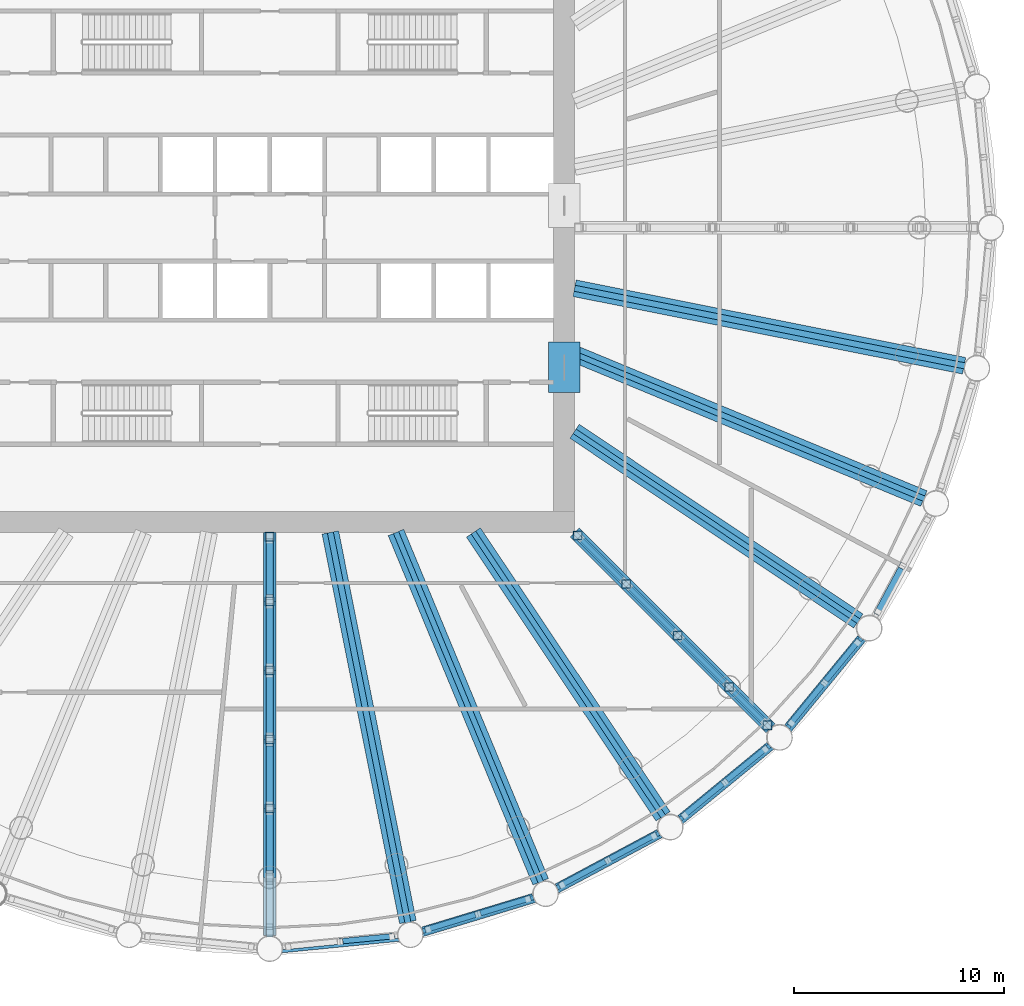
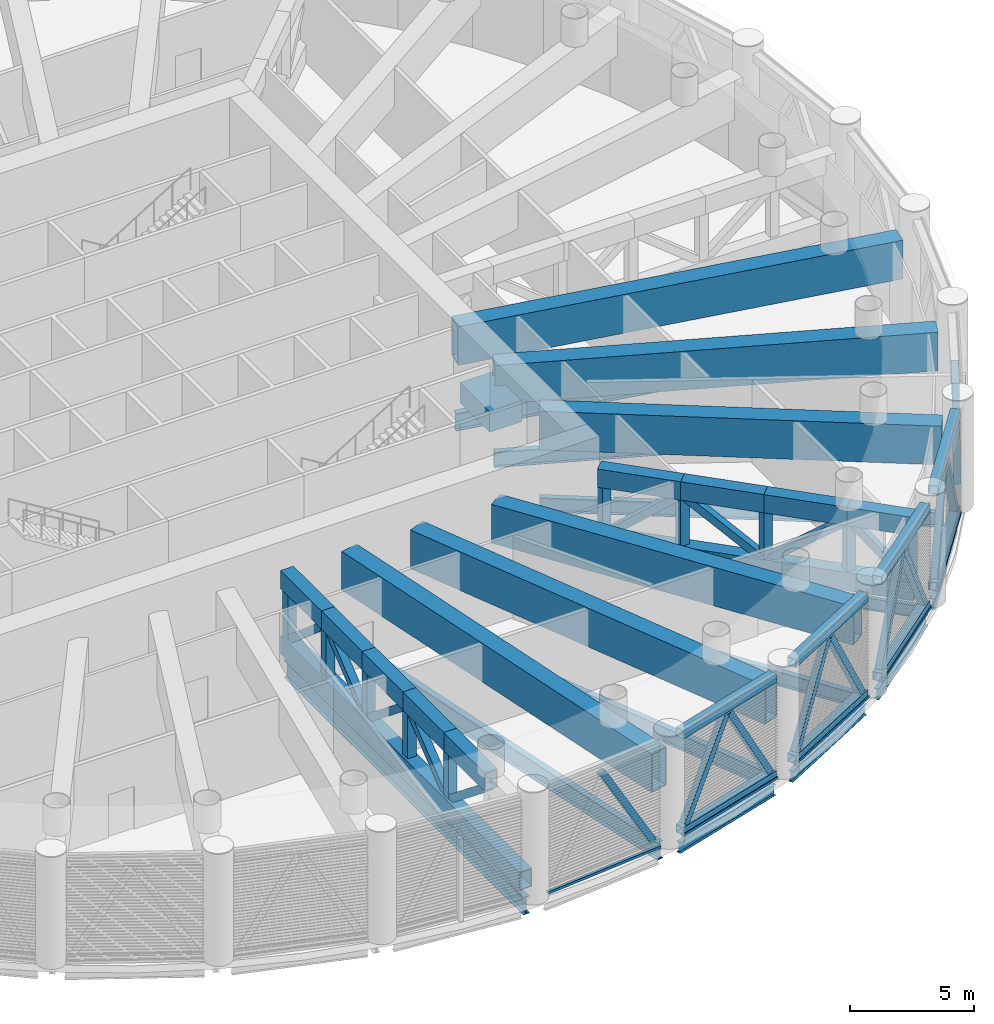
# One storey, part 3 of 29: 53 members, 19 beams, 5 elements without a shape of their own.
"""IFC4 building model written with IfcOpenShell, lengths in metres."""

from ifc_helpers import new_model, si_unit, direction, frame, origin, origin_2d, place, context, subcontext, project, spatial, rectangle, hollow_rectangle, i_section, extrude, material, material_profile, profile_set, type_object, element, aggregate, save


model = new_model("IFC4")

# Units and contexts
model_context = context("Model", 3, precision=1e-05, world=origin(), true_north=direction((0.0, 1.0)))
body_context = subcontext(model_context, "Body", "Model", "MODEL_VIEW")
ifc_project = project(units=[si_unit("LENGTHUNIT", "METRE"), si_unit("AREAUNIT", "SQUARE_METRE"), si_unit("VOLUMEUNIT", "CUBIC_METRE"), si_unit("PLANEANGLEUNIT", "RADIAN"), si_unit("MASSUNIT", "GRAM", prefix="KILO")], contexts=[model_context])

# Site, building, storey
site_placement = place(None, origin())
site = spatial("IfcSite", under=ifc_project, at=site_placement, CompositionType="ELEMENT")
building_placement = place(site_placement, origin())
building = spatial("IfcBuilding", under=site, at=building_placement, Name="Corvane Civic Tower", CompositionType="ELEMENT")
storey_placement = place(building_placement, frame((0.0, 0.0, 138.5)))
storey = spatial("IfcBuildingStorey", under=building, at=storey_placement, Name="L32", CompositionType="ELEMENT", Elevation=138.5)

# Members
ifc_material_1 = material(Name="Steel ASTM A500 Gr C", Category="steel")
ifc_material_profile_1 = material_profile(ifc_material_1, hollow_rectangle(XDim=0.406494140625, YDim=0.406494140625, WallThickness=0.0146484375, at=origin_2d()), Name="HSS16X16X5/8")
ifc_profile_set_1 = profile_set([ifc_material_profile_1], Name="Steel ASTM A500 Gr C")
member_type_1 = type_object("IfcMemberType", Name="BELT CHORD HSS16X16X5/8", PredefinedType="CHORD", material=ifc_profile_set_1)
for number, where, z_axis, x_axis, name in (
    (1, (28.122802734375, -19.539306640625, 4.94677734375), (-0.634415028276, -0.772992607919, 0.0), (0.772992607919, -0.634415028276, 0.0), "Belt truss BT-L32"),
    (2, (28.122802734375, -19.539306640625, 0.203125), (-0.634415028276, -0.772992607919, 0.0), (0.772992607919, -0.634415028276, 0.0), "Belt truss BT-L32"),
    (3, (23.7705078125, -24.650146484375, 4.94677734375), (-0.772992607919, -0.634415028276, 0.0), (0.634415028276, -0.772992607919, 0.0), "Belt truss BT-L32"),
    (4, (23.7705078125, -24.650146484375, 0.203125), (-0.772992607919, -0.634415028276, 0.0), (0.634415028276, -0.772992607919, 0.0), "Belt truss BT-L32"),
    (5, (18.5048828125, -28.81396484375, 4.94677734375), (-0.881929111224, -0.47138205606, 0.0), (0.47138205606, -0.881929111224, 0.0), "Belt truss BT-L32"),
    (6, (18.5048828125, -28.81396484375, 0.203125), (-0.881929111224, -0.47138205606, 0.0), (0.47138205606, -0.881929111224, 0.0), "Belt truss BT-L32"),
    (7, (12.52783203125, -31.870361328125, 4.94677734375), (-0.956931700875, -0.290313141039, 0.0), (0.290313141039, -0.956931700875, 0.0), "Belt truss BT-L32"),
    (8, (12.52783203125, -31.870361328125, 0.203125), (-0.956931700875, -0.290313141039, 0.0), (0.290313141039, -0.956931700875, 0.0), "Belt truss BT-L32"),
):
    element("IfcMember", number, at=place(storey_placement, frame(where, z_axis=z_axis, x_axis=x_axis)), inside=storey, type_object=member_type_1, Name=name, PredefinedType="CHORD", context=body_context, shape_type="SweptSolid", body=[
        extrude(hollow_rectangle(XDim=0.406494140625, YDim=0.406494140625, WallThickness=0.0146484375, at=origin_2d()), origin(), (0.0, 0.0, 1.0), 5.473876953125),
    ])
ifc_material_2 = material(Name="Steel ASTM A500 Gr C", Category="steel")
ifc_material_profile_2 = material_profile(ifc_material_2, hollow_rectangle(XDim=0.3046875, YDim=0.3046875, WallThickness=0.01171875, at=origin_2d()), Name="HSS12X12X1/2")
ifc_profile_set_2 = profile_set([ifc_material_profile_2], Name="Steel ASTM A500 Gr C")
member_type_2 = type_object("IfcMemberType", Name="BELT DIAGONAL HSS12X12X1/2", PredefinedType="BRACE", material=ifc_profile_set_2)
member_1_placement = place(storey_placement, frame((28.931640625, -18.284423828125, 0.406494140625), z_axis=(0.234536613447, 0.438700173893, 0.867487598977), x_axis=(-0.881882412915, 0.471469415542, 0.0)))
element("IfcMember", 9, at=member_1_placement, inside=storey, type_object=member_type_2, Name="Belt truss BT-L32", PredefinedType="BRACE", context=body_context, shape_type="SweptSolid", body=[
    extrude(hollow_rectangle(XDim=0.3046875, YDim=0.3046875, WallThickness=0.01171875, at=origin_2d()), origin(), (0.0, 0.0, 1.0), 4.999755859375),
])
for number, where, z_axis, x_axis, name in (
    (10, (27.964111328125, -19.732421875, 0.406494140625), (-0.315550706765, -0.384549956016, 0.867495869032), (0.773051152653, -0.634343688691, 0.0), "Belt truss BT-L32"),
    (11, (24.808837890625, -23.577392578125, 0.406494140625), (0.315556632044, 0.384508344276, 0.867512158505), (-0.773011647263, 0.634391829389, 0.0), "Belt truss BT-L32"),
    (12, (23.577392578125, -24.808837890625, 0.406494140625), (-0.384508344276, -0.315556632044, 0.867512158505), (0.634391829389, -0.773011647263, 0.0), "Belt truss BT-L32"),
    (13, (19.732421875, -27.964111328125, 0.406494140625), (0.384549956016, 0.315550706765, 0.867495869032), (-0.634343688691, 0.773051152653, 0.0), "Belt truss BT-L32"),
):
    element("IfcMember", number, at=place(storey_placement, frame(where, z_axis=z_axis, x_axis=x_axis)), inside=storey, type_object=member_type_2, Name=name, PredefinedType="BRACE", context=body_context, shape_type="SweptSolid", body=[
        extrude(hollow_rectangle(XDim=0.3046875, YDim=0.3046875, WallThickness=0.01171875, at=origin_2d()), origin(), (0.0, 0.0, 1.0), 4.99951171875),
    ])
member_2_placement = place(storey_placement, frame((18.284423828125, -28.931640625, 0.406494140625), z_axis=(-0.438700173893, -0.234536613447, 0.867487598977), x_axis=(0.471469415542, -0.881882412915, 0.0)))
element("IfcMember", 14, at=member_2_placement, inside=storey, type_object=member_type_2, Name="Belt truss BT-L32", PredefinedType="BRACE", context=body_context, shape_type="SweptSolid", body=[
    extrude(hollow_rectangle(XDim=0.3046875, YDim=0.3046875, WallThickness=0.01171875, at=origin_2d()), origin(), (0.0, 0.0, 1.0), 4.999755859375),
])
for number, where, z_axis, x_axis, name in (
    (15, (13.897705078125, -31.276611328125, 0.406494140625), (0.438705197767, 0.234490467462, 0.867497533208), (-0.471393068459, 0.881923225122, 0.0), "Belt truss BT-L32"),
    (16, (12.28857421875, -31.94287109375, 0.406494140625), (-0.476011692933, -0.14444425397, 0.867495663209), (0.290372459305, -0.956913702942, 0.0), "Belt truss BT-L32"),
    (17, (7.529052734375, -33.386962890625, 0.406494140625), (0.475977281417, 0.144399796979, 0.867521945663), (-0.290309839091, 0.956932702611, 0.0), "Belt truss BT-L32"),
    (18, (5.82080078125, -33.7265625, 0.406494140625), (-0.495016972565, -0.048783856722, 0.867512727397), (0.098074762811, -0.995179049669, 0.0), "Belt truss BT-L32"),
):
    element("IfcMember", number, at=place(storey_placement, frame(where, z_axis=z_axis, x_axis=x_axis)), inside=storey, type_object=member_type_2, Name=name, PredefinedType="BRACE", context=body_context, shape_type="SweptSolid", body=[
        extrude(hollow_rectangle(XDim=0.3046875, YDim=0.3046875, WallThickness=0.01171875, at=origin_2d()), origin(), (0.0, 0.0, 1.0), 4.99951171875),
    ])

# Beams
ifc_material_3 = material(Name="Concrete C70/85", Category="concrete")
ifc_material_profile_3 = material_profile(ifc_material_3, rectangle(XDim=1.5, YDim=1.0, at=origin_2d()), Name="COUPLING BEAM 1500X1000")
ifc_profile_set_3 = profile_set([ifc_material_profile_3], Name="Concrete C70/85")
beam_type_1 = type_object("IfcBeamType", Name="COUPLING BEAM COUPLING BEAM 1500X1000", PredefinedType="BEAM", material=ifc_profile_set_3)
beam_1_placement = place(storey_placement, frame((14.0, -7.85009765625, 2.60009765625), z_axis=(0.0, 1.0, 0.0), x_axis=(-1.0, 0.0, 0.0)))
element("IfcBeam", 19, at=beam_1_placement, inside=storey, type_object=beam_type_1, Name="BM-L32-cpl-CW-ES", PredefinedType="BEAM", context=body_context, shape_type="SweptSolid", body=[
    extrude(rectangle(XDim=1.5, YDim=1.0, at=origin_2d()), origin(), (0.0, 0.0, 1.0), 2.400146484375),
])
ifc_material_4 = material(Name="Steel ASTM A992 Gr 50", Category="steel")
ifc_material_profile_4 = material_profile(ifc_material_4, i_section(OverallWidth=0.209228515625, OverallDepth=0.533447265625, WebThickness=0.01025390625, FlangeThickness=0.015625, at=origin_2d()), Name="W21X62")
ifc_profile_set_4 = profile_set([ifc_material_profile_4], Name="Steel ASTM A992 Gr 50")
beam_type_2 = type_object("IfcBeamType", Name="EDGE BEAM W21X62", PredefinedType="BEAM", material=ifc_profile_set_4)
for number, where, z_axis, x_axis, name in (
    (20, (28.17041015625, -19.481201171875, -0.61669921875), (-0.634397765782, -0.773006775372, 0.0), (0.773006775372, -0.634397765782, 0.0), "BM-L32-E12"),
    (21, (23.82861328125, -24.6025390625, -0.61669921875), (-0.773006775372, -0.634397765782, 0.0), (0.634397765782, -0.773006775372, 0.0), "BM-L32-E13"),
    (22, (18.571044921875, -28.778564453125, -0.61669921875), (-0.88192357867, -0.471392407008, 0.0), (0.471392407008, -0.88192357867, 0.0), "BM-L32-E14"),
):
    element("IfcBeam", number, at=place(storey_placement, frame(where, z_axis=z_axis, x_axis=x_axis)), inside=storey, type_object=beam_type_2, Name=name, PredefinedType="BEAM", context=body_context, shape_type="SweptSolid", body=[
        extrude(i_section(OverallWidth=0.209228515625, OverallDepth=0.533447265625, WebThickness=0.01025390625, FlangeThickness=0.015625, at=origin_2d()), origin(), (0.0, 0.0, 1.0), 5.6240234375),
    ])
beam_2_placement = place(storey_placement, frame((12.599609375, -31.8486328125, -0.61669921875), z_axis=(-0.956936367498, -0.290297758448, 0.0), x_axis=(0.290297758448, -0.956936367498, 0.0)))
element("IfcBeam", 23, at=beam_2_placement, inside=storey, type_object=beam_type_2, Name="BM-L32-E15", PredefinedType="BEAM", context=body_context, shape_type="SweptSolid", body=[
    extrude(i_section(OverallWidth=0.209228515625, OverallDepth=0.533447265625, WebThickness=0.01025390625, FlangeThickness=0.015625, at=origin_2d()), origin(), (0.0, 0.0, 1.0), 5.623779296875),
])
ifc_material_5 = material(Name="Steel ASTM A992 Gr 50", Category="steel")
ifc_material_profile_5 = material_profile(ifc_material_5, i_section(OverallWidth=0.177978515625, OverallDepth=0.599365234375, WebThickness=0.010009765625, FlangeThickness=0.012939453125, at=origin_2d()), Name="W24X55")
ifc_profile_set_5 = profile_set([ifc_material_profile_5], Name="Steel ASTM A992 Gr 50")
beam_type_3 = type_object("IfcBeamType", Name="FLOOR GIRDER W24X55", PredefinedType="BEAM", material=ifc_profile_set_5)
beam_3_placement = place(storey_placement, frame((14.5, -14.5, -0.649658203125), z_axis=(0.707106781187, -0.707106781187, 0.0), x_axis=(0.707106781187, 0.707106781187, 0.0)))
element("IfcBeam", 24, at=beam_3_placement, inside=storey, type_object=beam_type_3, Name="BM-L32-G13", PredefinedType="BEAM", context=body_context, shape_type="SweptSolid", body=[
    extrude(i_section(OverallWidth=0.177978515625, OverallDepth=0.599365234375, WebThickness=0.010009765625, FlangeThickness=0.012939453125, at=origin_2d()), origin(), (0.0, 0.0, 1.0), 13.24365234375),
])
ifc_material_6 = material(Name="Steel ASTM A992 Gr 50", Category="steel")
ifc_material_profile_6 = material_profile(ifc_material_6, i_section(OverallWidth=0.256591796875, OverallDepth=0.693359375, WebThickness=0.014404296875, FlangeThickness=0.023681640625, at=origin_2d()), Name="W27X114")
ifc_profile_set_6 = profile_set([ifc_material_profile_6], Name="Steel ASTM A992 Gr 50")
beam_type_4 = type_object("IfcBeamType", Name="FLOOR GIRDER W27X114", PredefinedType="BEAM", material=ifc_profile_set_6)
for number, where, z_axis, x_axis, name in (
    (25, (14.5, -9.6884765625, -0.69677734375), (0.83146493365, -0.555577235054, 0.0), (0.555577235054, 0.83146493365, 0.0), "BM-L32-G12"),
    (26, (9.6884765625, -14.5, -0.69677734375), (0.555577235054, -0.83146493365, 0.0), (0.83146493365, 0.555577235054, 0.0), "BM-L32-G14"),
):
    element("IfcBeam", number, at=place(storey_placement, frame(where, z_axis=z_axis, x_axis=x_axis)), inside=storey, type_object=beam_type_4, Name=name, PredefinedType="BEAM", context=body_context, shape_type="SweptSolid", body=[
        extrude(i_section(OverallWidth=0.256591796875, OverallDepth=0.693359375, WebThickness=0.014404296875, FlangeThickness=0.023681640625, at=origin_2d()), origin(), (0.0, 0.0, 1.0), 16.31103515625),
    ])
ifc_material_7 = material(Name="Steel ASTM A992 Gr 50", Category="steel")
ifc_material_profile_7 = material_profile(ifc_material_7, i_section(OverallWidth=0.2666015625, OverallDepth=0.7568359375, WebThickness=0.013916015625, FlangeThickness=0.019287109375, at=origin_2d()), Name="W30X108")
ifc_profile_set_7 = profile_set([ifc_material_profile_7], Name="Steel ASTM A992 Gr 50")
beam_type_5 = type_object("IfcBeamType", Name="FLOOR GIRDER W30X108", PredefinedType="BEAM", material=ifc_profile_set_7)
for number, where, z_axis, x_axis, name in (
    (27, (14.5, -6.006103515625, -0.728515625), (0.923880209691, -0.382681797504, 0.0), (0.382681797504, 0.923880209691, 0.0), "BM-L32-G11"),
    (28, (6.006103515625, -14.5, -0.728515625), (0.382681797504, -0.923880209691, 0.0), (0.923880209691, 0.382681797504, 0.0), "BM-L32-G15"),
):
    element("IfcBeam", number, at=place(storey_placement, frame(where, z_axis=z_axis, x_axis=x_axis)), inside=storey, type_object=beam_type_5, Name=name, PredefinedType="BEAM", context=body_context, shape_type="SweptSolid", body=[
        extrude(i_section(OverallWidth=0.2666015625, OverallDepth=0.7568359375, WebThickness=0.013916015625, FlangeThickness=0.019287109375, at=origin_2d()), origin(), (0.0, 0.0, 1.0), 18.05517578125),
    ])
ifc_material_8 = material(Name="Steel ASTM A992 Gr 50", Category="steel")
ifc_material_profile_8 = material_profile(ifc_material_8, i_section(OverallWidth=0.2919921875, OverallDepth=0.8583984375, WebThickness=0.01708984375, FlangeThickness=0.031005859375, at=origin_2d()), Name="W33X169")
ifc_profile_set_8 = profile_set([ifc_material_profile_8], Name="Steel ASTM A992 Gr 50")
beam_type_6 = type_object("IfcBeamType", Name="FLOOR GIRDER W33X169", PredefinedType="BEAM", material=ifc_profile_set_8)
for number, where, z_axis, x_axis, name in (
    (29, (14.5, -2.88427734375, -0.779296875), (0.9807865885, -0.195083745652, 0.0), (0.195083745652, 0.9807865885, 0.0), "BM-L32-G10"),
    (30, (2.88427734375, -14.5, -0.779296875), (0.195083745652, -0.9807865885, 0.0), (0.9807865885, 0.195083745652, 0.0), "BM-L32-G16"),
):
    element("IfcBeam", number, at=place(storey_placement, frame(where, z_axis=z_axis, x_axis=x_axis)), inside=storey, type_object=beam_type_6, Name=name, PredefinedType="BEAM", context=body_context, shape_type="SweptSolid", body=[
        extrude(i_section(OverallWidth=0.2919921875, OverallDepth=0.8583984375, WebThickness=0.01708984375, FlangeThickness=0.031005859375, at=origin_2d()), origin(), (0.0, 0.0, 1.0), 18.966064453125),
    ])
beam_4_placement = place(storey_placement, frame((0.0, -14.5, -0.779296875), z_axis=(0.0, -1.0, 0.0), x_axis=(1.0, 0.0, 0.0)))
element("IfcBeam", 31, at=beam_4_placement, inside=storey, type_object=beam_type_6, Name="BM-L32-G17", PredefinedType="BEAM", context=body_context, shape_type="SweptSolid", body=[
    extrude(i_section(OverallWidth=0.2919921875, OverallDepth=0.8583984375, WebThickness=0.01708984375, FlangeThickness=0.031005859375, at=origin_2d()), origin(), (0.0, 0.0, 1.0), 19.25),
])

# Members
ifc_material_9 = material(Name="Steel ASTM A572 Gr 50", Category="steel")
ifc_material_profile_9 = material_profile(ifc_material_9, hollow_rectangle(XDim=0.60009765625, YDim=0.89990234375, WallThickness=0.0400390625, at=origin_2d()), Name="BOX900X600X40")
ifc_profile_set_9 = profile_set([ifc_material_profile_9], Name="Steel ASTM A572 Gr 50")
member_type_3 = type_object("IfcMemberType", Name="OUTRIGGER CHORD BOX900X600X40", PredefinedType="CHORD", material=ifc_profile_set_9)
member_3_placement = place(storey_placement, frame((14.5, -14.5, 3.64990234375), z_axis=(0.707106781187, -0.707106781187, 0.0), x_axis=(0.707106781187, 0.707106781187, 0.0)))
element("IfcMember", 32, at=member_3_placement, inside=storey, type_object=member_type_3, Name="Outrigger truss OT-L32-4", PredefinedType="CHORD", context=body_context, shape_type="SweptSolid", body=[
    extrude(hollow_rectangle(XDim=0.60009765625, YDim=0.89990234375, WallThickness=0.0400390625, at=origin_2d()), origin(), (0.0, 0.0, 1.0), 3.46484375),
])
member_4_placement = place(storey_placement, frame((16.949951171875, -16.949951171875, 3.64990234375), z_axis=(0.707106781187, -0.707106781187, 0.0), x_axis=(0.707106781187, 0.707106781187, 0.0)))
element("IfcMember", 33, at=member_4_placement, inside=storey, type_object=member_type_3, Name="Outrigger truss OT-L32-4", PredefinedType="CHORD", context=body_context, shape_type="SweptSolid", body=[
    extrude(hollow_rectangle(XDim=0.60009765625, YDim=0.89990234375, WallThickness=0.0400390625, at=origin_2d()), origin(), (0.0, 0.0, 1.0), 3.46435546875),
])
member_5_placement = place(storey_placement, frame((19.399658203125, -19.399658203125, 3.64990234375), z_axis=(0.707106781187, -0.707106781187, 0.0), x_axis=(0.707106781187, 0.707106781187, 0.0)))
element("IfcMember", 34, at=member_5_placement, inside=storey, type_object=member_type_3, Name="Outrigger truss OT-L32-4", PredefinedType="CHORD", context=body_context, shape_type="SweptSolid", body=[
    extrude(hollow_rectangle(XDim=0.60009765625, YDim=0.89990234375, WallThickness=0.0400390625, at=origin_2d()), origin(), (0.0, 0.0, 1.0), 3.46484375),
])
member_6_placement = place(storey_placement, frame((21.849609375, -21.849609375, 3.64990234375), z_axis=(0.707106781187, -0.707106781187, 0.0), x_axis=(0.707106781187, 0.707106781187, 0.0)))
element("IfcMember", 35, at=member_6_placement, inside=storey, type_object=member_type_3, Name="Outrigger truss OT-L32-4", PredefinedType="CHORD", context=body_context, shape_type="SweptSolid", body=[
    extrude(hollow_rectangle(XDim=0.60009765625, YDim=0.89990234375, WallThickness=0.0400390625, at=origin_2d()), origin(), (0.0, 0.0, 1.0), 2.77490234375),
])
member_7_placement = place(storey_placement, frame((14.5, -14.5, 0.449951171875), z_axis=(0.707106781187, -0.707106781187, 0.0), x_axis=(0.707106781187, 0.707106781187, 0.0)))
element("IfcMember", 36, at=member_7_placement, inside=storey, type_object=member_type_3, Name="Outrigger truss OT-L32-4", PredefinedType="CHORD", context=body_context, shape_type="SweptSolid", body=[
    extrude(hollow_rectangle(XDim=0.60009765625, YDim=0.89990234375, WallThickness=0.0400390625, at=origin_2d()), origin(), (0.0, 0.0, 1.0), 13.1689453125),
])
for number, where, z_axis, x_axis, name in (
    (37, (0.0, -14.5, 3.64990234375), (0.0, -1.0, 0.0), (1.0, 0.0, 0.0), "Outrigger truss OT-L32-5"),
    (38, (0.0, -17.780029296875, 3.64990234375), (0.0, -1.0, 0.0), (1.0, 0.0, 0.0), "Outrigger truss OT-L32-5"),
    (39, (0.0, -21.06005859375, 3.64990234375), (0.0, -1.0, 0.0), (1.0, 0.0, 0.0), "Outrigger truss OT-L32-5"),
    (40, (0.0, -24.340087890625, 3.64990234375), (0.0, -1.0, 0.0), (1.0, 0.0, 0.0), "Outrigger truss OT-L32-5"),
):
    element("IfcMember", number, at=place(storey_placement, frame(where, z_axis=z_axis, x_axis=x_axis)), inside=storey, type_object=member_type_3, Name=name, PredefinedType="CHORD", context=body_context, shape_type="SweptSolid", body=[
        extrude(hollow_rectangle(XDim=0.60009765625, YDim=0.89990234375, WallThickness=0.0400390625, at=origin_2d()), origin(), (0.0, 0.0, 1.0), 3.280029296875),
    ])
member_8_placement = place(storey_placement, frame((0.0, -27.6201171875, 3.64990234375), z_axis=(0.0, -1.0, 0.0), x_axis=(1.0, 0.0, 0.0)))
element("IfcMember", 41, at=member_8_placement, inside=storey, type_object=member_type_3, Name="Outrigger truss OT-L32-5", PredefinedType="CHORD", context=body_context, shape_type="SweptSolid", body=[
    extrude(hollow_rectangle(XDim=0.60009765625, YDim=0.89990234375, WallThickness=0.0400390625, at=origin_2d()), origin(), (0.0, 0.0, 1.0), 3.27978515625),
])
member_9_placement = place(storey_placement, frame((0.0, -14.5, 0.449951171875), z_axis=(0.0, -1.0, 0.0), x_axis=(1.0, 0.0, 0.0)))
element("IfcMember", 42, at=member_9_placement, inside=storey, type_object=member_type_3, Name="Outrigger truss OT-L32-5", PredefinedType="CHORD", context=body_context, shape_type="SweptSolid", body=[
    extrude(hollow_rectangle(XDim=0.60009765625, YDim=0.89990234375, WallThickness=0.0400390625, at=origin_2d()), origin(), (0.0, 0.0, 1.0), 19.175048828125),
])
ifc_material_10 = material(Name="Steel ASTM A500 Gr C", Category="steel")
ifc_material_profile_10 = material_profile(ifc_material_10, hollow_rectangle(XDim=0.355712890625, YDim=0.355712890625, WallThickness=0.01171875, at=origin_2d()), Name="HSS14X14X1/2")
ifc_profile_set_10 = profile_set([ifc_material_profile_10], Name="Steel ASTM A500 Gr C")
member_type_4 = type_object("IfcMemberType", Name="OUTRIGGER DIAGONAL HSS14X14X1/2", PredefinedType="BRACE", material=ifc_profile_set_10)
member_10_placement = place(storey_placement, frame((14.787353515625, -14.787353515625, 0.89990234375), z_axis=(0.55064544484, -0.55064544484, 0.627358899), x_axis=(0.707106781187, 0.707106781187, 0.0)))
element("IfcMember", 43, at=member_10_placement, inside=storey, type_object=member_type_4, Name="Outrigger truss OT-L32-4", PredefinedType="BRACE", context=body_context, shape_type="SweptSolid", body=[
    extrude(hollow_rectangle(XDim=0.355712890625, YDim=0.355712890625, WallThickness=0.01171875, at=origin_2d()), origin(), (0.0, 0.0, 1.0), 3.666259765625),
])
member_11_placement = place(storey_placement, frame((17.093505859375, -17.093505859375, 3.199951171875), z_axis=(0.565129033504, -0.565129033504, -0.601047711069), x_axis=(0.707106781187, 0.707106781187, 0.0)))
element("IfcMember", 44, at=member_11_placement, inside=storey, type_object=member_type_4, Name="Outrigger truss OT-L32-4", PredefinedType="BRACE", context=body_context, shape_type="SweptSolid", body=[
    extrude(hollow_rectangle(XDim=0.355712890625, YDim=0.355712890625, WallThickness=0.01171875, at=origin_2d()), origin(), (0.0, 0.0, 1.0), 3.82666015625),
])
member_12_placement = place(storey_placement, frame((19.54345703125, -19.54345703125, 0.89990234375), z_axis=(0.565105983192, -0.565105983192, 0.601091054268), x_axis=(0.707106781187, 0.707106781187, 0.0)))
element("IfcMember", 45, at=member_12_placement, inside=storey, type_object=member_type_4, Name="Outrigger truss OT-L32-4", PredefinedType="BRACE", context=body_context, shape_type="SweptSolid", body=[
    extrude(hollow_rectangle(XDim=0.355712890625, YDim=0.355712890625, WallThickness=0.01171875, at=origin_2d()), origin(), (0.0, 0.0, 1.0), 3.826416015625),
])
member_13_placement = place(storey_placement, frame((21.9931640625, -21.9931640625, 3.199951171875), z_axis=(0.48471654406, -0.48471654406, -0.728079490049), x_axis=(0.707106781187, 0.707106781187, 0.0)))
element("IfcMember", 46, at=member_13_placement, inside=storey, type_object=member_type_4, Name="Outrigger truss OT-L32-4", PredefinedType="BRACE", context=body_context, shape_type="SweptSolid", body=[
    extrude(hollow_rectangle(XDim=0.355712890625, YDim=0.355712890625, WallThickness=0.01171875, at=origin_2d()), origin(), (0.0, 0.0, 1.0), 3.1591796875),
])
member_14_placement = place(storey_placement, frame((0.0, -14.906494140625, 0.89990234375), z_axis=(0.0, -0.757694584279, 0.652609314179), x_axis=(1.0, 0.0, 0.0)))
element("IfcMember", 47, at=member_14_placement, inside=storey, type_object=member_type_4, Name="Outrigger truss OT-L32-5", PredefinedType="BRACE", context=body_context, shape_type="SweptSolid", body=[
    extrude(hollow_rectangle(XDim=0.355712890625, YDim=0.355712890625, WallThickness=0.01171875, at=origin_2d()), origin(), (0.0, 0.0, 1.0), 3.5244140625),
])
for number, where, z_axis, x_axis, name in (
    (48, (0.0, -17.983154296875, 3.199951171875), (0.0, -0.780707002168, -0.624897252967), (1.0, 0.0, 0.0), "Outrigger truss OT-L32-5"),
    (49, (0.0, -21.26318359375, 0.89990234375), (0.0, -0.780707002168, 0.624897252967), (1.0, 0.0, 0.0), "Outrigger truss OT-L32-5"),
    (50, (0.0, -24.543212890625, 3.199951171875), (0.0, -0.780707002168, -0.624897252967), (1.0, 0.0, 0.0), "Outrigger truss OT-L32-5"),
    (51, (0.0, -27.8232421875, 0.89990234375), (0.0, -0.780707002168, 0.624897252967), (1.0, 0.0, 0.0), "Outrigger truss OT-L32-5"),
):
    element("IfcMember", number, at=place(storey_placement, frame(where, z_axis=z_axis, x_axis=x_axis)), inside=storey, type_object=member_type_4, Name=name, PredefinedType="BRACE", context=body_context, shape_type="SweptSolid", body=[
        extrude(hollow_rectangle(XDim=0.355712890625, YDim=0.355712890625, WallThickness=0.01171875, at=origin_2d()), origin(), (0.0, 0.0, 1.0), 3.6806640625),
    ])
ifc_material_11 = material(Name="Steel ASTM A500 Gr C", Category="steel")
ifc_material_profile_11 = material_profile(ifc_material_11, hollow_rectangle(XDim=0.406494140625, YDim=0.406494140625, WallThickness=0.0146484375, at=origin_2d()), Name="HSS16X16X5/8")
ifc_profile_set_11 = profile_set([ifc_material_profile_11], Name="Steel ASTM A500 Gr C")
member_type_5 = type_object("IfcMemberType", Name="OUTRIGGER POST HSS16X16X5/8", PredefinedType="POST", material=ifc_profile_set_11)
for number, where, z_axis, x_axis, name in (
    (52, (14.643798828125, -14.643798828125, 0.89990234375), (0.0, 0.0, 1.0), (1.0, 0.0, 0.0), "Outrigger truss OT-L32-4"),
    (53, (16.949951171875, -16.949951171875, 0.89990234375), (0.0, 0.0, 1.0), (1.0, 0.0, 0.0), "Outrigger truss OT-L32-4"),
    (54, (19.399658203125, -19.399658203125, 0.89990234375), (0.0, 0.0, 1.0), (1.0, 0.0, 0.0), "Outrigger truss OT-L32-4"),
    (55, (21.849609375, -21.849609375, 0.89990234375), (0.0, 0.0, 1.0), (1.0, 0.0, 0.0), "Outrigger truss OT-L32-4"),
    (56, (23.668212890625, -23.668212890625, 0.89990234375), (0.0, 0.0, 1.0), (1.0, 0.0, 0.0), "Outrigger truss OT-L32-4"),
    (57, (0.0, -14.703125, 0.89990234375), (0.0, 0.0, 1.0), (1.0, 0.0, 0.0), "Outrigger truss OT-L32-5"),
    (58, (0.0, -17.780029296875, 0.89990234375), (0.0, 0.0, 1.0), (1.0, 0.0, 0.0), "Outrigger truss OT-L32-5"),
    (59, (0.0, -21.06005859375, 0.89990234375), (0.0, 0.0, 1.0), (1.0, 0.0, 0.0), "Outrigger truss OT-L32-5"),
    (60, (0.0, -24.340087890625, 0.89990234375), (0.0, 0.0, 1.0), (1.0, 0.0, 0.0), "Outrigger truss OT-L32-5"),
    (61, (0.0, -27.6201171875, 0.89990234375), (0.0, 0.0, 1.0), (1.0, 0.0, 0.0), "Outrigger truss OT-L32-5"),
):
    element("IfcMember", number, at=place(storey_placement, frame(where, z_axis=z_axis, x_axis=x_axis)), inside=storey, type_object=member_type_5, Name=name, PredefinedType="POST", context=body_context, shape_type="SweptSolid", body=[
        extrude(hollow_rectangle(XDim=0.406494140625, YDim=0.406494140625, WallThickness=0.0146484375, at=origin_2d()), origin(), (0.0, 0.0, 1.0), 2.300048828125),
    ])

# Curtain wall, member
ifc_material_12 = material(Name="Anodised aluminium bronze", Category="aluminium")
curtain_wall_type = type_object("IfcCurtainWallType", Name="TOWER CW-LV LOUVRE SCREEN WALL", PredefinedType="NOTDEFINED", material=ifc_material_12)
curtain_wall_1_placement = place(storey_placement, origin())
curtain_wall_1 = element("IfcCurtainWall", 62, at=curtain_wall_1_placement, inside=storey, type_object=curtain_wall_type, Name="Louvre screen wall CW-LV L32 bay 12", PredefinedType="NOTDEFINED")
ifc_material_13 = material(Name="Anodised aluminium bronze", Category="aluminium")
ifc_material_profile_12 = material_profile(ifc_material_13, rectangle(XDim=0.139892578125, YDim=0.1201171875, at=origin_2d()), Name="TOWER CW-LV TRANSOM 140x120")
ifc_profile_set_12 = profile_set([ifc_material_profile_12], Name="Anodised aluminium bronze")
member_type_6 = type_object("IfcMemberType", Name="TOWER CW-LV TRANSOM 140x120", PredefinedType="USERDEFINED", material=ifc_profile_set_12)
member_15_placement = place(storey_placement, frame((28.297119140625, -19.609619140625, 0.06005859375), z_axis=(-0.634410369295, -0.772996431642, 0.0), x_axis=(0.772996431642, -0.634410369295, 0.0)))
member_15 = element("IfcMember", 63, at=member_15_placement, type_object=member_type_6, Name="Transom CW-LV L32 12.1", ObjectType="TRANSOM", PredefinedType="USERDEFINED", context=body_context, shape_type="SweptSolid", body=[
    extrude(rectangle(XDim=0.139892578125, YDim=0.1201171875, at=origin_2d()), origin(), (0.0, 0.0, 1.0), 5.586181640625),
])
aggregate(curtain_wall_1, [member_15])

curtain_wall_2_placement = place(storey_placement, origin())
curtain_wall_2 = element("IfcCurtainWall", 64, at=curtain_wall_2_placement, inside=storey, type_object=curtain_wall_type, Name="Louvre screen wall CW-LV L32 bay 13", PredefinedType="NOTDEFINED")
member_16_placement = place(storey_placement, frame((23.927734375, -24.753173828125, 0.06005859375), z_axis=(-0.772996431642, -0.634410369295, 0.0), x_axis=(0.634410369295, -0.772996431642, 0.0)))
member_16 = element("IfcMember", 65, at=member_16_placement, type_object=member_type_6, Name="Transom CW-LV L32 13.1", ObjectType="TRANSOM", PredefinedType="USERDEFINED", context=body_context, shape_type="SweptSolid", body=[
    extrude(rectangle(XDim=0.139892578125, YDim=0.1201171875, at=origin_2d()), origin(), (0.0, 0.0, 1.0), 5.586181640625),
])
aggregate(curtain_wall_2, [member_16])

curtain_wall_3_placement = place(storey_placement, origin())
curtain_wall_3 = element("IfcCurtainWall", 66, at=curtain_wall_3_placement, inside=storey, type_object=curtain_wall_type, Name="Louvre screen wall CW-LV L32 bay 14", PredefinedType="NOTDEFINED")
member_17_placement = place(storey_placement, frame((18.63916015625, -28.945556640625, 0.06005859375), z_axis=(-0.881920705407, -0.47139778253, 0.0), x_axis=(0.47139778253, -0.881920705407, 0.0)))
member_17 = element("IfcMember", 67, at=member_17_placement, type_object=member_type_6, Name="Transom CW-LV L32 14.1", ObjectType="TRANSOM", PredefinedType="USERDEFINED", context=body_context, shape_type="SweptSolid", body=[
    extrude(rectangle(XDim=0.139892578125, YDim=0.1201171875, at=origin_2d()), origin(), (0.0, 0.0, 1.0), 5.586669921875),
])
aggregate(curtain_wall_3, [member_17])

curtain_wall_4_placement = place(storey_placement, origin())
curtain_wall_4 = element("IfcCurtainWall", 68, at=curtain_wall_4_placement, inside=storey, type_object=curtain_wall_type, Name="Louvre screen wall CW-LV L32 bay 15", PredefinedType="NOTDEFINED")
member_18_placement = place(storey_placement, frame((12.6337890625, -32.025634765625, 0.06005859375), z_axis=(-0.956944977029, -0.290269376509, 0.0), x_axis=(0.290269376509, -0.956944977029, 0.0)))
member_18 = element("IfcMember", 69, at=member_18_placement, type_object=member_type_6, Name="Transom CW-LV L32 15.1", ObjectType="TRANSOM", PredefinedType="USERDEFINED", context=body_context, shape_type="SweptSolid", body=[
    extrude(rectangle(XDim=0.139892578125, YDim=0.1201171875, at=origin_2d()), origin(), (0.0, 0.0, 1.0), 5.58642578125),
])
aggregate(curtain_wall_4, [member_18])

curtain_wall_5_placement = place(storey_placement, origin())
curtain_wall_5 = element("IfcCurtainWall", 70, at=curtain_wall_5_placement, inside=storey, type_object=curtain_wall_type, Name="Louvre screen wall CW-LV L32 bay 16", PredefinedType="NOTDEFINED")
member_19_placement = place(storey_placement, frame((6.14306640625, -33.874755859375, 0.06005859375), z_axis=(-0.995179807033, -0.098067077419, 0.0), x_axis=(0.098067077419, -0.995179807033, 0.0)))
member_19 = element("IfcMember", 71, at=member_19_placement, type_object=member_type_6, Name="Transom CW-LV L32 16.1", ObjectType="TRANSOM", PredefinedType="USERDEFINED", context=body_context, shape_type="SweptSolid", body=[
    extrude(rectangle(XDim=0.139892578125, YDim=0.1201171875, at=origin_2d()), origin(), (0.0, 0.0, 1.0), 5.58642578125),
])
aggregate(curtain_wall_5, [member_19])

# Beams
ifc_material_14 = material(Name="Steel ASTM A572 Gr 50", Category="steel")
ifc_material_profile_13 = material_profile(ifc_material_14, hollow_rectangle(XDim=0.800048828125, YDim=1.89990234375, WallThickness=0.050048828125, at=origin_2d()), Name="BOX1900X800X50")
ifc_profile_set_13 = profile_set([ifc_material_profile_13], Name="Steel ASTM A572 Gr 50")
beam_type_7 = type_object("IfcBeamType", Name="TRANSFER GIRDER BOX1900X800X50", PredefinedType="BEAM", material=ifc_profile_set_13)
beam_5_placement = place(storey_placement, frame((14.5, -2.88427734375, 3.14990234375), z_axis=(0.980786416815, -0.1950846088, 0.0), x_axis=(0.1950846088, 0.980786416815, 0.0)))
element("IfcBeam", 72, at=beam_5_placement, inside=storey, type_object=beam_type_7, Name="Transfer girder TG-L32-10", PredefinedType="BEAM", context=body_context, shape_type="SweptSolid", body=[
    extrude(hollow_rectangle(XDim=0.800048828125, YDim=1.89990234375, WallThickness=0.050048828125, at=origin_2d()), origin(), (0.0, 0.0, 1.0), 18.890869140625),
])
beam_6_placement = place(storey_placement, frame((14.5, -6.006103515625, 3.14990234375), z_axis=(0.923877156168, -0.382689169316, 0.0), x_axis=(0.382689169316, 0.923877156168, 0.0)))
element("IfcBeam", 73, at=beam_6_placement, inside=storey, type_object=beam_type_7, Name="Transfer girder TG-L32-11", PredefinedType="BEAM", context=body_context, shape_type="SweptSolid", body=[
    extrude(hollow_rectangle(XDim=0.800048828125, YDim=1.89990234375, WallThickness=0.050048828125, at=origin_2d()), origin(), (0.0, 0.0, 1.0), 17.980224609375),
])
for number, where, z_axis, x_axis, name in (
    (74, (14.5, -9.6884765625, 3.14990234375), (0.831469180137, -0.5555708798, 0.0), (0.5555708798, 0.831469180137, 0.0), "Transfer girder TG-L32-12"),
    (75, (9.6884765625, -14.5, 3.14990234375), (0.5555708798, -0.831469180137, 0.0), (0.831469180137, 0.5555708798, 0.0), "Transfer girder TG-L32-14"),
):
    element("IfcBeam", number, at=place(storey_placement, frame(where, z_axis=z_axis, x_axis=x_axis)), inside=storey, type_object=beam_type_7, Name=name, PredefinedType="BEAM", context=body_context, shape_type="SweptSolid", body=[
        extrude(hollow_rectangle(XDim=0.800048828125, YDim=1.89990234375, WallThickness=0.050048828125, at=origin_2d()), origin(), (0.0, 0.0, 1.0), 16.236083984375),
    ])
beam_7_placement = place(storey_placement, frame((6.006103515625, -14.5, 3.14990234375), z_axis=(0.382689169316, -0.923877156168, 0.0), x_axis=(0.923877156168, 0.382689169316, 0.0)))
element("IfcBeam", 76, at=beam_7_placement, inside=storey, type_object=beam_type_7, Name="Transfer girder TG-L32-15", PredefinedType="BEAM", context=body_context, shape_type="SweptSolid", body=[
    extrude(hollow_rectangle(XDim=0.800048828125, YDim=1.89990234375, WallThickness=0.050048828125, at=origin_2d()), origin(), (0.0, 0.0, 1.0), 17.980224609375),
])
beam_8_placement = place(storey_placement, frame((2.88427734375, -14.5, 3.14990234375), z_axis=(0.1950846088, -0.980786416815, 0.0), x_axis=(0.980786416815, 0.1950846088, 0.0)))
element("IfcBeam", 77, at=beam_8_placement, inside=storey, type_object=beam_type_7, Name="Transfer girder TG-L32-16", PredefinedType="BEAM", context=body_context, shape_type="SweptSolid", body=[
    extrude(hollow_rectangle(XDim=0.800048828125, YDim=1.89990234375, WallThickness=0.050048828125, at=origin_2d()), origin(), (0.0, 0.0, 1.0), 18.890869140625),
])

save(model, "model.ifc")
